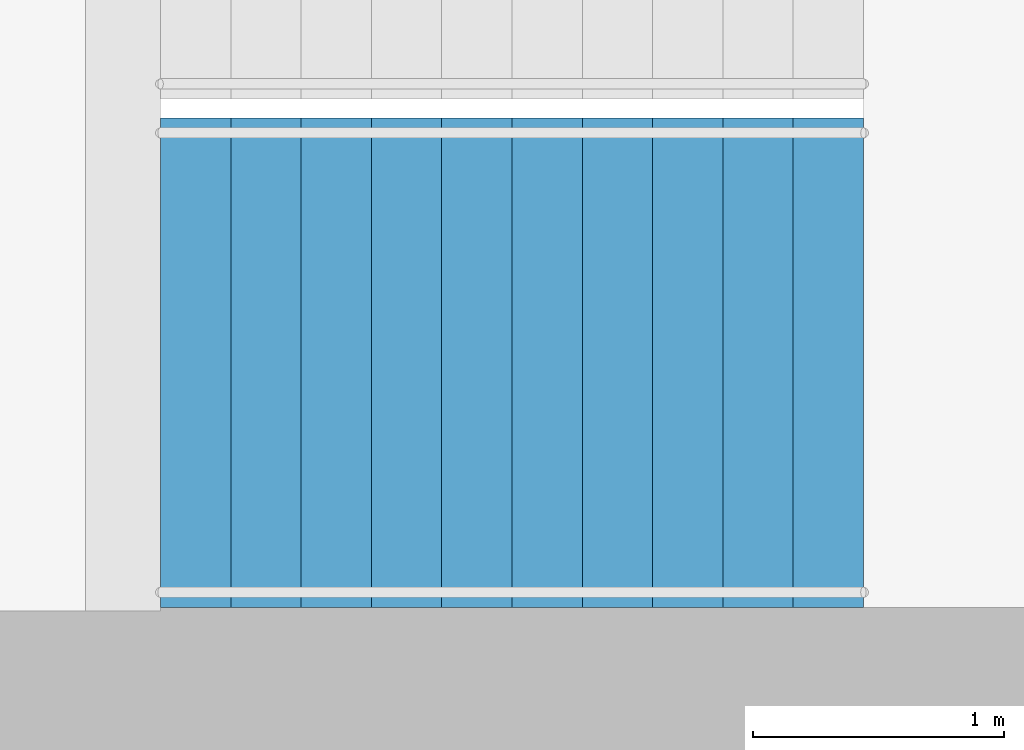
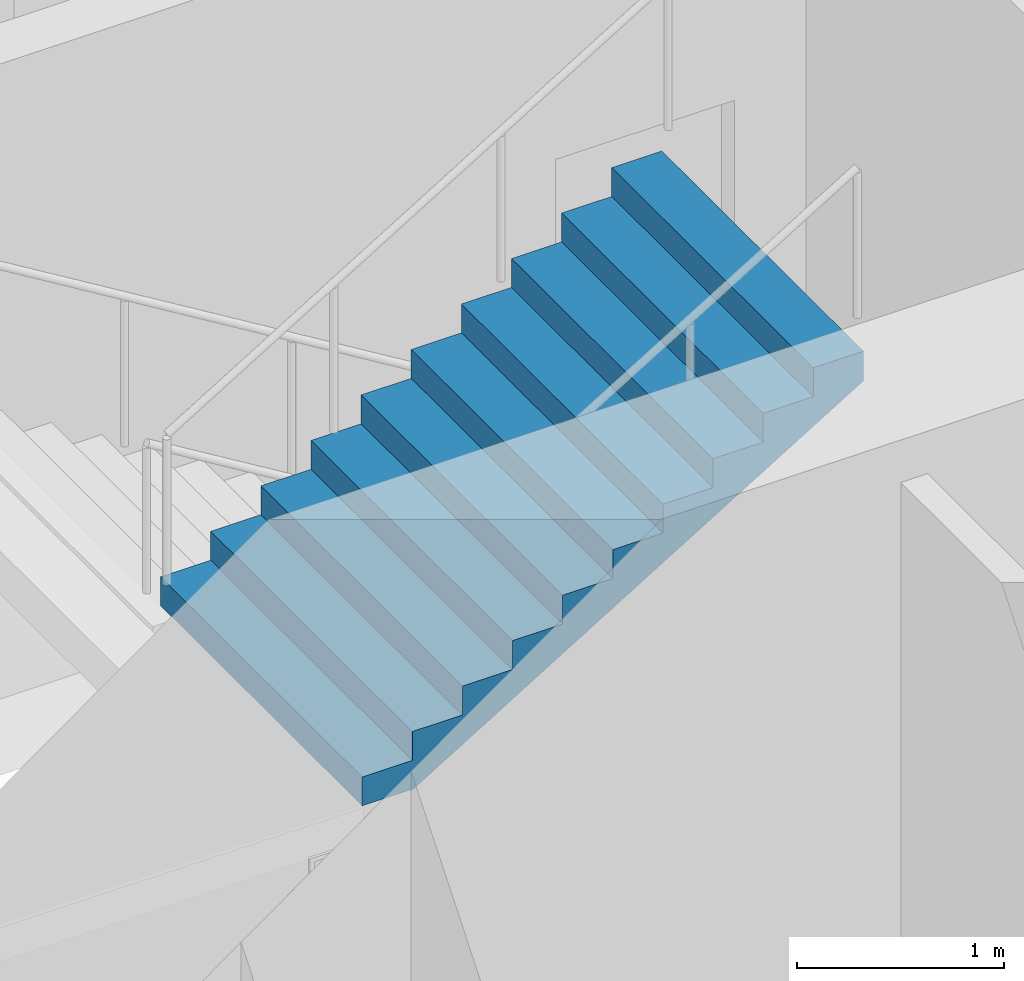
# One storey, part 22 of 26: 1 stair flight, 1 element without a shape of its own.
"""IFC4 building model written with IfcOpenShell, lengths in metres."""

from ifc_helpers import new_model, si_unit, direction, frame, origin, place, context, subcontext, project, spatial, triangles, material, type_object, element, aggregate, save


model = new_model("IFC4")

# Units and contexts
model_context = context("Model", 3, precision=1e-05, world=origin(), true_north=direction((0.0, 1.0)))
body_context = subcontext(model_context, "Body", "Model", "MODEL_VIEW")
ifc_project = project(units=[si_unit("LENGTHUNIT", "METRE"), si_unit("AREAUNIT", "SQUARE_METRE"), si_unit("VOLUMEUNIT", "CUBIC_METRE"), si_unit("PLANEANGLEUNIT", "RADIAN"), si_unit("MASSUNIT", "GRAM", prefix="KILO")], contexts=[model_context])

# Site, building, storey
site_placement = place(None, origin())
site = spatial("IfcSite", under=ifc_project, at=site_placement, CompositionType="ELEMENT")
building_placement = place(site_placement, origin())
building = spatial("IfcBuilding", under=site, at=building_placement, Name="Orbita Commons", CompositionType="ELEMENT")
storey_placement = place(building_placement, frame((0.0, 0.0, 114.39990234375)))
storey = spatial("IfcBuildingStorey", under=building, at=storey_placement, Name="L28", CompositionType="ELEMENT", Elevation=114.39990234375)

# Stair, stair flight
ifc_material_1 = material(Name="Precast concrete C40/50", Category="concrete")
stair_type = type_object("IfcStairType", Name="Exit stair S2 2 flights 11 risers 170", PredefinedType="HALF_TURN_STAIR", material=ifc_material_1)
stair_placement = place(storey_placement, origin())
stair = element("IfcStair", 1, at=stair_placement, inside=storey, type_object=stair_type, Name="Exit stair S2 L28", PredefinedType="HALF_TURN_STAIR")
ifc_material_2 = material(Name="Precast concrete C40/50", Category="concrete")
stair_flight_type = type_object("IfcStairFlightType", Name="Stair flight 11 risers 170 x 280", PredefinedType="STRAIGHT", material=ifc_material_2)
stair_flight_placement = place(storey_placement, frame((60.75, 27.25, 1.875), z_axis=(0.0, 0.0, 1.0), x_axis=(1.0, 0.0, 0.0)))
stair_flight = element("IfcStairFlight", 2, at=stair_flight_placement, type_object=stair_flight_type, Name="S2 flight 2", NumberOfRisers=11, NumberOfTreads=10, PredefinedType="STRAIGHT", RiserHeight=0.170454545, TreadLength=0.28, context=body_context, shape_type="Tessellation", body=[
    triangles([(0.0, 0.974976, 0.0), (0.0, 0.974976, 0.021307), (0.0, 0.81248, 0.021307), (0.0, 0.81248, 0.0), (0.0, 0.649984, 0.021307), (0.0, 0.649984, 0.0), (0.0, 0.487488, 0.021307), (0.0, 0.487488, 0.0), (0.0, 0.324992, 0.021307), (0.0, 0.324992, 0.0), (0.0, 0.162496, 0.021307), (0.0, 0.162496, 0.0), (0.0, 0.0, 0.021307), (0.0, 0.0, 0.0), (0.0, -0.162496, 0.021307), (0.0, -0.162496, 0.0), (0.0, -0.324992, 0.021307), (0.0, -0.324992, 0.0), (0.0, -0.487488, 0.021307), (0.0, -0.487488, 0.0), (0.0, -0.649984, 0.021307), (0.0, -0.649984, 0.0), (0.0, -0.81248, 0.021307), (0.0, -0.81248, 0.0), (0.0, -0.974976, 0.021307), (0.0, -0.974976, 0.0), (0.0, 0.974976, 0.042614), (0.0, 0.81248, 0.042614), (0.0, 0.649984, 0.042614), (0.0, 0.487488, 0.042614), (0.0, 0.324992, 0.042614), (0.0, 0.162496, 0.042614), (0.0, 0.0, 0.042614), (0.0, -0.162496, 0.042614), (0.0, -0.324992, 0.042614), (0.0, -0.487488, 0.042614), (0.0, -0.649984, 0.042614), (0.0, -0.81248, 0.042614), (0.0, -0.974976, 0.042614), (0.0, 0.974976, 0.06392), (0.0, 0.81248, 0.06392), (0.0, 0.649984, 0.06392), (0.0, 0.487488, 0.06392), (0.0, 0.324992, 0.06392), (0.0, 0.162496, 0.06392), (0.0, 0.0, 0.06392), (0.0, -0.162496, 0.06392), (0.0, -0.324992, 0.06392), (0.0, -0.487488, 0.06392), (0.0, -0.649984, 0.06392), (0.0, -0.81248, 0.06392), (0.0, -0.974976, 0.06392), (0.0, 0.974976, 0.085227), (0.0, 0.81248, 0.085227), (0.0, 0.649984, 0.085227), (0.0, 0.487488, 0.085227), (0.0, 0.324992, 0.085227), (0.0, 0.162496, 0.085227), (0.0, 0.0, 0.085227), (0.0, -0.162496, 0.085227), (0.0, -0.324992, 0.085227), (0.0, -0.487488, 0.085227), (0.0, -0.649984, 0.085227), (0.0, -0.81248, 0.085227), (0.0, -0.974976, 0.085227), (0.0, 0.974976, 0.106534), (0.0, 0.81248, 0.106534), (0.0, 0.649984, 0.106534), (0.0, 0.487488, 0.106534), (0.0, 0.324992, 0.106534), (0.0, 0.162496, 0.106534), (0.0, 0.0, 0.106534), (0.0, -0.162496, 0.106534), (0.0, -0.324992, 0.106534), (0.0, -0.487488, 0.106534), (0.0, -0.649984, 0.106534), (0.0, -0.81248, 0.106534), (0.0, -0.974976, 0.106534), (0.0, 0.974976, 0.127841), (0.0, 0.81248, 0.127841), (0.0, 0.649984, 0.127841), (0.0, 0.487488, 0.127841), (0.0, 0.324992, 0.127841), (0.0, 0.162496, 0.127841), (0.0, 0.0, 0.127841), (0.0, -0.162496, 0.127841), (0.0, -0.324992, 0.127841), (0.0, -0.487488, 0.127841), (0.0, -0.649984, 0.127841), (0.0, -0.81248, 0.127841), (0.0, -0.974976, 0.127841), (0.0, 0.974976, 0.149148), (0.0, 0.81248, 0.149148), (0.0, 0.649984, 0.149148), (0.0, 0.487488, 0.149148), (0.0, 0.324992, 0.149148), (0.0, 0.162496, 0.149148), (0.0, 0.0, 0.149148), (0.0, -0.162496, 0.149148), (0.0, -0.324992, 0.149148), (0.0, -0.487488, 0.149148), (0.0, -0.649984, 0.149148), (0.0, -0.81248, 0.149148), (0.0, -0.974976, 0.149148), (0.0, 0.974976, 0.170455), (0.0, 0.81248, 0.170455), (0.0, 0.649984, 0.170455), (0.0, 0.487488, 0.170455), (0.0, 0.324992, 0.170455), (0.0, 0.162496, 0.170455), (0.0, 0.0, 0.170455), (0.0, -0.162496, 0.170455), (0.0, -0.324992, 0.170455), (0.0, -0.487488, 0.170455), (0.0, -0.649984, 0.170455), (0.0, -0.81248, 0.170455), (0.0, -0.974976, 0.170455), (0.28, 0.974976, 0.170455), (0.28, 0.81248, 0.170455), (0.28, 0.649984, 0.170455), (0.28, 0.487488, 0.170455), (0.28, 0.324992, 0.170455), (0.28, 0.162496, 0.170455), (0.28, 0.0, 0.170455), (0.28, -0.162496, 0.170455), (0.28, -0.324992, 0.170455), (0.28, -0.487488, 0.170455), (0.28, -0.649984, 0.170455), (0.28, -0.81248, 0.170455), (0.28, -0.974976, 0.170455), (0.28, 0.974976, 0.340909), (0.28, 0.81248, 0.340909), (0.28, 0.649984, 0.340909), (0.28, 0.487488, 0.340909), (0.28, 0.324992, 0.340909), (0.28, 0.162496, 0.340909), (0.28, 0.0, 0.340909), (0.28, -0.162496, 0.340909), (0.28, -0.324992, 0.340909), (0.28, -0.487488, 0.340909), (0.28, -0.649984, 0.340909), (0.28, -0.81248, 0.340909), (0.28, -0.974976, 0.340909), (0.56, 0.974976, 0.340909), (0.56, 0.81248, 0.340909), (0.56, 0.649984, 0.340909), (0.56, 0.487488, 0.340909), (0.56, 0.324992, 0.340909), (0.56, 0.162496, 0.340909), (0.56, 0.0, 0.340909), (0.56, -0.162496, 0.340909), (0.56, -0.324992, 0.340909), (0.56, -0.487488, 0.340909), (0.56, -0.649984, 0.340909), (0.56, -0.81248, 0.340909), (0.56, -0.974976, 0.340909), (0.56, 0.974976, 0.511364), (0.56, 0.81248, 0.511364), (0.56, 0.649984, 0.511364), (0.56, 0.487488, 0.511364), (0.56, 0.324992, 0.511364), (0.56, 0.162496, 0.511364), (0.56, 0.0, 0.511364), (0.56, -0.162496, 0.511364), (0.56, -0.324992, 0.511364), (0.56, -0.487488, 0.511364), (0.56, -0.649984, 0.511364), (0.56, -0.81248, 0.511364), (0.56, -0.974976, 0.511364), (0.84, 0.974976, 0.511364), (0.84, 0.81248, 0.511364), (0.84, 0.649984, 0.511364), (0.84, 0.487488, 0.511364), (0.84, 0.324992, 0.511364), (0.84, 0.162496, 0.511364), (0.84, 0.0, 0.511364), (0.84, -0.162496, 0.511364), (0.84, -0.324992, 0.511364), (0.84, -0.487488, 0.511364), (0.84, -0.649984, 0.511364), (0.84, -0.81248, 0.511364), (0.84, -0.974976, 0.511364), (0.84, 0.974976, 0.681818), (0.84, 0.81248, 0.681818), (0.84, 0.649984, 0.681818), (0.84, 0.487488, 0.681818), (0.84, 0.324992, 0.681818), (0.84, 0.162496, 0.681818), (0.84, 0.0, 0.681818), (0.84, -0.162496, 0.681818), (0.84, -0.324992, 0.681818), (0.84, -0.487488, 0.681818), (0.84, -0.649984, 0.681818), (0.84, -0.81248, 0.681818), (0.84, -0.974976, 0.681818), (1.12, 0.974976, 0.681818), (1.12, 0.81248, 0.681818), (1.12, 0.649984, 0.681818), (1.12, 0.487488, 0.681818), (1.12, 0.324992, 0.681818), (1.12, 0.162496, 0.681818), (1.12, 0.0, 0.681818), (1.12, -0.162496, 0.681818), (1.12, -0.324992, 0.681818), (1.12, -0.487488, 0.681818), (1.12, -0.649984, 0.681818), (1.12, -0.81248, 0.681818), (1.12, -0.974976, 0.681818), (1.12, 0.974976, 0.852273), (1.12, 0.81248, 0.852273), (1.12, 0.649984, 0.852273), (1.12, 0.487488, 0.852273), (1.12, 0.324992, 0.852273), (1.12, 0.162496, 0.852273), (1.12, 0.0, 0.852273), (1.12, -0.162496, 0.852273), (1.12, -0.324992, 0.852273), (1.12, -0.487488, 0.852273), (1.12, -0.649984, 0.852273), (1.12, -0.81248, 0.852273), (1.12, -0.974976, 0.852273), (1.4, 0.974976, 0.852273), (1.4, 0.81248, 0.852273), (1.4, 0.649984, 0.852273), (1.4, 0.487488, 0.852273), (1.4, 0.324992, 0.852273), (1.4, 0.162496, 0.852273), (1.4, 0.0, 0.852273), (1.4, -0.162496, 0.852273), (1.4, -0.324992, 0.852273), (1.4, -0.487488, 0.852273), (1.4, -0.649984, 0.852273), (1.4, -0.81248, 0.852273), (1.4, -0.974976, 0.852273), (1.4, 0.974976, 1.022727), (1.4, 0.81248, 1.022727), (1.4, 0.649984, 1.022727), (1.4, 0.487488, 1.022727), (1.4, 0.324992, 1.022727), (1.4, 0.162496, 1.022727), (1.4, 0.0, 1.022727), (1.4, -0.162496, 1.022727), (1.4, -0.324992, 1.022727), (1.4, -0.487488, 1.022727), (1.4, -0.649984, 1.022727), (1.4, -0.81248, 1.022727), (1.4, -0.974976, 1.022727), (1.68, 0.974976, 1.022727), (1.68, 0.81248, 1.022727), (1.68, 0.649984, 1.022727), (1.68, 0.487488, 1.022727), (1.68, 0.324992, 1.022727), (1.68, 0.162496, 1.022727), (1.68, 0.0, 1.022727), (1.68, -0.162496, 1.022727), (1.68, -0.324992, 1.022727), (1.68, -0.487488, 1.022727), (1.68, -0.649984, 1.022727), (1.68, -0.81248, 1.022727), (1.68, -0.974976, 1.022727), (1.68, 0.974976, 1.193182), (1.68, 0.81248, 1.193182), (1.68, 0.649984, 1.193182), (1.68, 0.487488, 1.193182), (1.68, 0.324992, 1.193182), (1.68, 0.162496, 1.193182), (1.68, 0.0, 1.193182), (1.68, -0.162496, 1.193182), (1.68, -0.324992, 1.193182), (1.68, -0.487488, 1.193182), (1.68, -0.649984, 1.193182), (1.68, -0.81248, 1.193182), (1.68, -0.974976, 1.193182), (1.96, 0.974976, 1.193182), (1.96, 0.81248, 1.193182), (1.96, 0.649984, 1.193182), (1.96, 0.487488, 1.193182), (1.96, 0.324992, 1.193182), (1.96, 0.162496, 1.193182), (1.96, 0.0, 1.193182), (1.96, -0.162496, 1.193182), (1.96, -0.324992, 1.193182), (1.96, -0.487488, 1.193182), (1.96, -0.649984, 1.193182), (1.96, -0.81248, 1.193182), (1.96, -0.974976, 1.193182), (1.96, 0.974976, 1.363636), (1.96, 0.81248, 1.363636), (1.96, 0.649984, 1.363636), (1.96, 0.487488, 1.363636), (1.96, 0.324992, 1.363636), (1.96, 0.162496, 1.363636), (1.96, 0.0, 1.363636), (1.96, -0.162496, 1.363636), (1.96, -0.324992, 1.363636), (1.96, -0.487488, 1.363636), (1.96, -0.649984, 1.363636), (1.96, -0.81248, 1.363636), (1.96, -0.974976, 1.363636), (2.24, 0.974976, 1.363636), (2.24, 0.81248, 1.363636), (2.24, 0.649984, 1.363636), (2.24, 0.487488, 1.363636), (2.24, 0.324992, 1.363636), (2.24, 0.162496, 1.363636), (2.24, 0.0, 1.363636), (2.24, -0.162496, 1.363636), (2.24, -0.324992, 1.363636), (2.24, -0.487488, 1.363636), (2.24, -0.649984, 1.363636), (2.24, -0.81248, 1.363636), (2.24, -0.974976, 1.363636), (2.24, 0.974976, 1.534091), (2.24, 0.81248, 1.534091), (2.24, 0.649984, 1.534091), (2.24, 0.487488, 1.534091), (2.24, 0.324992, 1.534091), (2.24, 0.162496, 1.534091), (2.24, 0.0, 1.534091), (2.24, -0.162496, 1.534091), (2.24, -0.324992, 1.534091), (2.24, -0.487488, 1.534091), (2.24, -0.649984, 1.534091), (2.24, -0.81248, 1.534091), (2.24, -0.974976, 1.534091), (2.52, 0.974976, 1.534091), (2.52, 0.81248, 1.534091), (2.52, 0.649984, 1.534091), (2.52, 0.487488, 1.534091), (2.52, 0.324992, 1.534091), (2.52, 0.162496, 1.534091), (2.52, 0.0, 1.534091), (2.52, -0.162496, 1.534091), (2.52, -0.324992, 1.534091), (2.52, -0.487488, 1.534091), (2.52, -0.649984, 1.534091), (2.52, -0.81248, 1.534091), (2.52, -0.974976, 1.534091), (2.52, 0.974976, 1.704545), (2.52, 0.81248, 1.704545), (2.52, 0.649984, 1.704545), (2.52, 0.487488, 1.704545), (2.52, 0.324992, 1.704545), (2.52, 0.162496, 1.704545), (2.52, 0.0, 1.704545), (2.52, -0.162496, 1.704545), (2.52, -0.324992, 1.704545), (2.52, -0.487488, 1.704545), (2.52, -0.649984, 1.704545), (2.52, -0.81248, 1.704545), (2.52, -0.974976, 1.704545), (2.8, 0.974976, 1.704545), (2.8, 0.81248, 1.704545), (2.8, 0.649984, 1.704545), (2.8, 0.487488, 1.704545), (2.8, 0.324992, 1.704545), (2.8, 0.162496, 1.704545), (2.8, 0.0, 1.704545), (2.8, -0.162496, 1.704545), (2.8, -0.324992, 1.704545), (2.8, -0.487488, 1.704545), (2.8, -0.649984, 1.704545), (2.8, -0.81248, 1.704545), (2.8, -0.974976, 1.704545), (2.8, 0.974976, 1.682609), (2.8, 0.81248, 1.682609), (2.8, 0.649984, 1.682609), (2.8, 0.487488, 1.682609), (2.8, 0.324992, 1.682609), (2.8, 0.162496, 1.682609), (2.8, 0.0, 1.682609), (2.8, -0.162496, 1.682609), (2.8, -0.324992, 1.682609), (2.8, -0.487488, 1.682609), (2.8, -0.649984, 1.682609), (2.8, -0.81248, 1.682609), (2.8, -0.974976, 1.682609), (2.8, 0.974976, 1.660672), (2.8, 0.81248, 1.660672), (2.8, 0.649984, 1.660672), (2.8, 0.487488, 1.660672), (2.8, 0.324992, 1.660672), (2.8, 0.162496, 1.660672), (2.8, 0.0, 1.660672), (2.8, -0.162496, 1.660672), (2.8, -0.324992, 1.660672), (2.8, -0.487488, 1.660672), (2.8, -0.649984, 1.660672), (2.8, -0.81248, 1.660672), (2.8, -0.974976, 1.660672), (2.8, 0.974976, 1.638735), (2.8, 0.81248, 1.638735), (2.8, 0.649984, 1.638735), (2.8, 0.487488, 1.638735), (2.8, 0.324992, 1.638735), (2.8, 0.162496, 1.638735), (2.8, 0.0, 1.638735), (2.8, -0.162496, 1.638735), (2.8, -0.324992, 1.638735), (2.8, -0.487488, 1.638735), (2.8, -0.649984, 1.638735), (2.8, -0.81248, 1.638735), (2.8, -0.974976, 1.638735), (2.8, 0.974976, 1.616798), (2.8, 0.81248, 1.616798), (2.8, 0.649984, 1.616798), (2.8, 0.487488, 1.616798), (2.8, 0.324992, 1.616798), (2.8, 0.162496, 1.616798), (2.8, 0.0, 1.616798), (2.8, -0.162496, 1.616798), (2.8, -0.324992, 1.616798), (2.8, -0.487488, 1.616798), (2.8, -0.649984, 1.616798), (2.8, -0.81248, 1.616798), (2.8, -0.974976, 1.616798), (2.8, 0.974976, 1.594861), (2.8, 0.81248, 1.594861), (2.8, 0.649984, 1.594861), (2.8, 0.487488, 1.594861), (2.8, 0.324992, 1.594861), (2.8, 0.162496, 1.594861), (2.8, 0.0, 1.594861), (2.8, -0.162496, 1.594861), (2.8, -0.324992, 1.594861), (2.8, -0.487488, 1.594861), (2.8, -0.649984, 1.594861), (2.8, -0.81248, 1.594861), (2.8, -0.974976, 1.594861), (2.8, 0.974976, 1.572925), (2.8, 0.81248, 1.572925), (2.8, 0.649984, 1.572925), (2.8, 0.487488, 1.572925), (2.8, 0.324992, 1.572925), (2.8, 0.162496, 1.572925), (2.8, 0.0, 1.572925), (2.8, -0.162496, 1.572925), (2.8, -0.324992, 1.572925), (2.8, -0.487488, 1.572925), (2.8, -0.649984, 1.572925), (2.8, -0.81248, 1.572925), (2.8, -0.974976, 1.572925), (2.8, 0.974976, 1.550988), (2.8, 0.81248, 1.550988), (2.8, 0.649984, 1.550988), (2.8, 0.487488, 1.550988), (2.8, 0.324992, 1.550988), (2.8, 0.162496, 1.550988), (2.8, 0.0, 1.550988), (2.8, -0.162496, 1.550988), (2.8, -0.324992, 1.550988), (2.8, -0.487488, 1.550988), (2.8, -0.649984, 1.550988), (2.8, -0.81248, 1.550988), (2.8, -0.974976, 1.550988), (2.8, 0.974976, 1.529051), (2.8, 0.81248, 1.529051), (2.8, 0.649984, 1.529051), (2.8, 0.487488, 1.529051), (2.8, 0.324992, 1.529051), (2.8, 0.162496, 1.529051), (2.8, 0.0, 1.529051), (2.8, -0.162496, 1.529051), (2.8, -0.324992, 1.529051), (2.8, -0.487488, 1.529051), (2.8, -0.649984, 1.529051), (2.8, -0.81248, 1.529051), (2.8, -0.974976, 1.529051), (0.288279, 0.974976, 0.0), (0.288279, 0.81248, 0.0), (0.288279, 0.649984, 0.0), (0.288279, 0.487488, 0.0), (0.288279, 0.324992, 0.0), (0.288279, 0.162496, 0.0), (0.288279, 0.0, 0.0), (0.288279, -0.162496, 0.0), (0.288279, -0.324992, 0.0), (0.288279, -0.487488, 0.0), (0.288279, -0.649984, 0.0), (0.288279, -0.81248, 0.0), (0.288279, -0.974976, 0.0)], [[3, 2, 1], [4, 3, 1], [5, 3, 4], [6, 5, 4], [7, 5, 6], [8, 7, 6], [9, 7, 8], [10, 9, 8], [11, 9, 10], [12, 11, 10], [13, 11, 12], [14, 13, 12], [15, 13, 14], [16, 15, 14], [17, 15, 16], [18, 17, 16], [19, 17, 18], [20, 19, 18], [21, 19, 20], [22, 21, 20], [23, 21, 22], [24, 23, 22], [25, 23, 24], [26, 25, 24], [28, 27, 2], [3, 28, 2], [29, 28, 3], [5, 29, 3], [30, 29, 5], [7, 30, 5], [31, 30, 7], [9, 31, 7], [32, 31, 9], [11, 32, 9], [33, 32, 11], [13, 33, 11], [34, 33, 13], [15, 34, 13], [35, 34, 15], [17, 35, 15], [36, 35, 17], [19, 36, 17], [37, 36, 19], [21, 37, 19], [38, 37, 21], [23, 38, 21], [39, 38, 23], [25, 39, 23], [41, 40, 27], [28, 41, 27], [42, 41, 28], [29, 42, 28], [43, 42, 29], [30, 43, 29], [44, 43, 30], [31, 44, 30], [45, 44, 31], [32, 45, 31], [46, 45, 32], [33, 46, 32], [47, 46, 33], [34, 47, 33], [48, 47, 34], [35, 48, 34], [49, 48, 35], [36, 49, 35], [50, 49, 36], [37, 50, 36], [51, 50, 37], [38, 51, 37], [52, 51, 38], [39, 52, 38], [54, 53, 40], [41, 54, 40], [55, 54, 41], [42, 55, 41], [56, 55, 42], [43, 56, 42], [57, 56, 43], [44, 57, 43], [58, 57, 44], [45, 58, 44], [59, 58, 45], [46, 59, 45], [60, 59, 46], [47, 60, 46], [61, 60, 47], [48, 61, 47], [62, 61, 48], [49, 62, 48], [63, 62, 49], [50, 63, 49], [64, 63, 50], [51, 64, 50], [65, 64, 51], [52, 65, 51], [67, 66, 53], [54, 67, 53], [68, 67, 54], [55, 68, 54], [69, 68, 55], [56, 69, 55], [70, 69, 56], [57, 70, 56], [71, 70, 57], [58, 71, 57], [72, 71, 58], [59, 72, 58], [73, 72, 59], [60, 73, 59], [74, 73, 60], [61, 74, 60], [75, 74, 61], [62, 75, 61], [76, 75, 62], [63, 76, 62], [77, 76, 63], [64, 77, 63], [78, 77, 64], [65, 78, 64], [80, 79, 66], [67, 80, 66], [81, 80, 67], [68, 81, 67], [82, 81, 68], [69, 82, 68], [83, 82, 69], [70, 83, 69], [84, 83, 70], [71, 84, 70], [85, 84, 71], [72, 85, 71], [86, 85, 72], [73, 86, 72], [87, 86, 73], [74, 87, 73], [88, 87, 74], [75, 88, 74], [89, 88, 75], [76, 89, 75], [90, 89, 76], [77, 90, 76], [91, 90, 77], [78, 91, 77], [93, 92, 79], [80, 93, 79], [94, 93, 80], [81, 94, 80], [95, 94, 81], [82, 95, 81], [96, 95, 82], [83, 96, 82], [97, 96, 83], [84, 97, 83], [98, 97, 84], [85, 98, 84], [99, 98, 85], [86, 99, 85], [100, 99, 86], [87, 100, 86], [101, 100, 87], [88, 101, 87], [102, 101, 88], [89, 102, 88], [103, 102, 89], [90, 103, 89], [104, 103, 90], [91, 104, 90], [106, 105, 92], [93, 106, 92], [107, 106, 93], [94, 107, 93], [108, 107, 94], [95, 108, 94], [109, 108, 95], [96, 109, 95], [110, 109, 96], [97, 110, 96], [111, 110, 97], [98, 111, 97], [112, 111, 98], [99, 112, 98], [113, 112, 99], [100, 113, 99], [114, 113, 100], [101, 114, 100], [115, 114, 101], [102, 115, 101], [116, 115, 102], [103, 116, 102], [117, 116, 103], [104, 117, 103], [119, 118, 105], [106, 119, 105], [120, 119, 106], [107, 120, 106], [121, 120, 107], [108, 121, 107], [122, 121, 108], [109, 122, 108], [123, 122, 109], [110, 123, 109], [124, 123, 110], [111, 124, 110], [125, 124, 111], [112, 125, 111], [126, 125, 112], [113, 126, 112], [127, 126, 113], [114, 127, 113], [128, 127, 114], [115, 128, 114], [129, 128, 115], [116, 129, 115], [130, 129, 116], [117, 130, 116], [132, 131, 118], [119, 132, 118], [133, 132, 119], [120, 133, 119], [134, 133, 120], [121, 134, 120], [135, 134, 121], [122, 135, 121], [136, 135, 122], [123, 136, 122], [137, 136, 123], [124, 137, 123], [138, 137, 124], [125, 138, 124], [139, 138, 125], [126, 139, 125], [140, 139, 126], [127, 140, 126], [141, 140, 127], [128, 141, 127], [142, 141, 128], [129, 142, 128], [143, 142, 129], [130, 143, 129], [145, 144, 131], [132, 145, 131], [146, 145, 132], [133, 146, 132], [147, 146, 133], [134, 147, 133], [148, 147, 134], [135, 148, 134], [149, 148, 135], [136, 149, 135], [150, 149, 136], [137, 150, 136], [151, 150, 137], [138, 151, 137], [152, 151, 138], [139, 152, 138], [153, 152, 139], [140, 153, 139], [154, 153, 140], [141, 154, 140], [155, 154, 141], [142, 155, 141], [156, 155, 142], [143, 156, 142], [158, 157, 144], [145, 158, 144], [159, 158, 145], [146, 159, 145], [160, 159, 146], [147, 160, 146], [161, 160, 147], [148, 161, 147], [162, 161, 148], [149, 162, 148], [163, 162, 149], [150, 163, 149], [164, 163, 150], [151, 164, 150], [165, 164, 151], [152, 165, 151], [166, 165, 152], [153, 166, 152], [167, 166, 153], [154, 167, 153], [168, 167, 154], [155, 168, 154], [169, 168, 155], [156, 169, 155], [171, 170, 157], [158, 171, 157], [172, 171, 158], [159, 172, 158], [173, 172, 159], [160, 173, 159], [174, 173, 160], [161, 174, 160], [175, 174, 161], [162, 175, 161], [176, 175, 162], [163, 176, 162], [177, 176, 163], [164, 177, 163], [178, 177, 164], [165, 178, 164], [179, 178, 165], [166, 179, 165], [180, 179, 166], [167, 180, 166], [181, 180, 167], [168, 181, 167], [182, 181, 168], [169, 182, 168], [184, 183, 170], [171, 184, 170], [185, 184, 171], [172, 185, 171], [186, 185, 172], [173, 186, 172], [187, 186, 173], [174, 187, 173], [188, 187, 174], [175, 188, 174], [189, 188, 175], [176, 189, 175], [190, 189, 176], [177, 190, 176], [191, 190, 177], [178, 191, 177], [192, 191, 178], [179, 192, 178], [193, 192, 179], [180, 193, 179], [194, 193, 180], [181, 194, 180], [195, 194, 181], [182, 195, 181], [197, 196, 183], [184, 197, 183], [198, 197, 184], [185, 198, 184], [199, 198, 185], [186, 199, 185], [200, 199, 186], [187, 200, 186], [201, 200, 187], [188, 201, 187], [202, 201, 188], [189, 202, 188], [203, 202, 189], [190, 203, 189], [204, 203, 190], [191, 204, 190], [205, 204, 191], [192, 205, 191], [206, 205, 192], [193, 206, 192], [207, 206, 193], [194, 207, 193], [208, 207, 194], [195, 208, 194], [210, 209, 196], [197, 210, 196], [211, 210, 197], [198, 211, 197], [212, 211, 198], [199, 212, 198], [213, 212, 199], [200, 213, 199], [214, 213, 200], [201, 214, 200], [215, 214, 201], [202, 215, 201], [216, 215, 202], [203, 216, 202], [217, 216, 203], [204, 217, 203], [218, 217, 204], [205, 218, 204], [219, 218, 205], [206, 219, 205], [220, 219, 206], [207, 220, 206], [221, 220, 207], [208, 221, 207], [223, 222, 209], [210, 223, 209], [224, 223, 210], [211, 224, 210], [225, 224, 211], [212, 225, 211], [226, 225, 212], [213, 226, 212], [227, 226, 213], [214, 227, 213], [228, 227, 214], [215, 228, 214], [229, 228, 215], [216, 229, 215], [230, 229, 216], [217, 230, 216], [231, 230, 217], [218, 231, 217], [232, 231, 218], [219, 232, 218], [233, 232, 219], [220, 233, 219], [234, 233, 220], [221, 234, 220], [236, 235, 222], [223, 236, 222], [237, 236, 223], [224, 237, 223], [238, 237, 224], [225, 238, 224], [239, 238, 225], [226, 239, 225], [240, 239, 226], [227, 240, 226], [241, 240, 227], [228, 241, 227], [242, 241, 228], [229, 242, 228], [243, 242, 229], [230, 243, 229], [244, 243, 230], [231, 244, 230], [245, 244, 231], [232, 245, 231], [246, 245, 232], [233, 246, 232], [247, 246, 233], [234, 247, 233], [249, 248, 235], [236, 249, 235], [250, 249, 236], [237, 250, 236], [251, 250, 237], [238, 251, 237], [252, 251, 238], [239, 252, 238], [253, 252, 239], [240, 253, 239], [254, 253, 240], [241, 254, 240], [255, 254, 241], [242, 255, 241], [256, 255, 242], [243, 256, 242], [257, 256, 243], [244, 257, 243], [258, 257, 244], [245, 258, 244], [259, 258, 245], [246, 259, 245], [260, 259, 246], [247, 260, 246], [262, 261, 248], [249, 262, 248], [263, 262, 249], [250, 263, 249], [264, 263, 250], [251, 264, 250], [265, 264, 251], [252, 265, 251], [266, 265, 252], [253, 266, 252], [267, 266, 253], [254, 267, 253], [268, 267, 254], [255, 268, 254], [269, 268, 255], [256, 269, 255], [270, 269, 256], [257, 270, 256], [271, 270, 257], [258, 271, 257], [272, 271, 258], [259, 272, 258], [273, 272, 259], [260, 273, 259], [275, 274, 261], [262, 275, 261], [276, 275, 262], [263, 276, 262], [277, 276, 263], [264, 277, 263], [278, 277, 264], [265, 278, 264], [279, 278, 265], [266, 279, 265], [280, 279, 266], [267, 280, 266], [281, 280, 267], [268, 281, 267], [282, 281, 268], [269, 282, 268], [283, 282, 269], [270, 283, 269], [284, 283, 270], [271, 284, 270], [285, 284, 271], [272, 285, 271], [286, 285, 272], [273, 286, 272], [288, 287, 274], [275, 288, 274], [289, 288, 275], [276, 289, 275], [290, 289, 276], [277, 290, 276], [291, 290, 277], [278, 291, 277], [292, 291, 278], [279, 292, 278], [293, 292, 279], [280, 293, 279], [294, 293, 280], [281, 294, 280], [295, 294, 281], [282, 295, 281], [296, 295, 282], [283, 296, 282], [297, 296, 283], [284, 297, 283], [298, 297, 284], [285, 298, 284], [299, 298, 285], [286, 299, 285], [301, 300, 287], [288, 301, 287], [302, 301, 288], [289, 302, 288], [303, 302, 289], [290, 303, 289], [304, 303, 290], [291, 304, 290], [305, 304, 291], [292, 305, 291], [306, 305, 292], [293, 306, 292], [307, 306, 293], [294, 307, 293], [308, 307, 294], [295, 308, 294], [309, 308, 295], [296, 309, 295], [310, 309, 296], [297, 310, 296], [311, 310, 297], [298, 311, 297], [312, 311, 298], [299, 312, 298], [314, 313, 300], [301, 314, 300], [315, 314, 301], [302, 315, 301], [316, 315, 302], [303, 316, 302], [317, 316, 303], [304, 317, 303], [318, 317, 304], [305, 318, 304], [319, 318, 305], [306, 319, 305], [320, 319, 306], [307, 320, 306], [321, 320, 307], [308, 321, 307], [322, 321, 308], [309, 322, 308], [323, 322, 309], [310, 323, 309], [324, 323, 310], [311, 324, 310], [325, 324, 311], [312, 325, 311], [327, 326, 313], [314, 327, 313], [328, 327, 314], [315, 328, 314], [329, 328, 315], [316, 329, 315], [330, 329, 316], [317, 330, 316], [331, 330, 317], [318, 331, 317], [332, 331, 318], [319, 332, 318], [333, 332, 319], [320, 333, 319], [334, 333, 320], [321, 334, 320], [335, 334, 321], [322, 335, 321], [336, 335, 322], [323, 336, 322], [337, 336, 323], [324, 337, 323], [338, 337, 324], [325, 338, 324], [340, 339, 326], [327, 340, 326], [341, 340, 327], [328, 341, 327], [342, 341, 328], [329, 342, 328], [343, 342, 329], [330, 343, 329], [344, 343, 330], [331, 344, 330], [345, 344, 331], [332, 345, 331], [346, 345, 332], [333, 346, 332], [347, 346, 333], [334, 347, 333], [348, 347, 334], [335, 348, 334], [349, 348, 335], [336, 349, 335], [350, 349, 336], [337, 350, 336], [351, 350, 337], [338, 351, 337], [353, 352, 339], [340, 353, 339], [354, 353, 340], [341, 354, 340], [355, 354, 341], [342, 355, 341], [356, 355, 342], [343, 356, 342], [357, 356, 343], [344, 357, 343], [358, 357, 344], [345, 358, 344], [359, 358, 345], [346, 359, 345], [360, 359, 346], [347, 360, 346], [361, 360, 347], [348, 361, 347], [362, 361, 348], [349, 362, 348], [363, 362, 349], [350, 363, 349], [364, 363, 350], [351, 364, 350], [366, 365, 352], [353, 366, 352], [367, 366, 353], [354, 367, 353], [368, 367, 354], [355, 368, 354], [369, 368, 355], [356, 369, 355], [370, 369, 356], [357, 370, 356], [371, 370, 357], [358, 371, 357], [372, 371, 358], [359, 372, 358], [373, 372, 359], [360, 373, 359], [374, 373, 360], [361, 374, 360], [375, 374, 361], [362, 375, 361], [376, 375, 362], [363, 376, 362], [377, 376, 363], [364, 377, 363], [379, 378, 365], [366, 379, 365], [380, 379, 366], [367, 380, 366], [381, 380, 367], [368, 381, 367], [382, 381, 368], [369, 382, 368], [383, 382, 369], [370, 383, 369], [384, 383, 370], [371, 384, 370], [385, 384, 371], [372, 385, 371], [386, 385, 372], [373, 386, 372], [387, 386, 373], [374, 387, 373], [388, 387, 374], [375, 388, 374], [389, 388, 375], [376, 389, 375], [390, 389, 376], [377, 390, 376], [392, 391, 378], [379, 392, 378], [393, 392, 379], [380, 393, 379], [394, 393, 380], [381, 394, 380], [395, 394, 381], [382, 395, 381], [396, 395, 382], [383, 396, 382], [397, 396, 383], [384, 397, 383], [398, 397, 384], [385, 398, 384], [399, 398, 385], [386, 399, 385], [400, 399, 386], [387, 400, 386], [401, 400, 387], [388, 401, 387], [402, 401, 388], [389, 402, 388], [403, 402, 389], [390, 403, 389], [405, 404, 391], [392, 405, 391], [406, 405, 392], [393, 406, 392], [407, 406, 393], [394, 407, 393], [408, 407, 394], [395, 408, 394], [409, 408, 395], [396, 409, 395], [410, 409, 396], [397, 410, 396], [411, 410, 397], [398, 411, 397], [412, 411, 398], [399, 412, 398], [413, 412, 399], [400, 413, 399], [414, 413, 400], [401, 414, 400], [415, 414, 401], [402, 415, 401], [416, 415, 402], [403, 416, 402], [418, 417, 404], [405, 418, 404], [419, 418, 405], [406, 419, 405], [420, 419, 406], [407, 420, 406], [421, 420, 407], [408, 421, 407], [422, 421, 408], [409, 422, 408], [423, 422, 409], [410, 423, 409], [424, 423, 410], [411, 424, 410], [425, 424, 411], [412, 425, 411], [426, 425, 412], [413, 426, 412], [427, 426, 413], [414, 427, 413], [428, 427, 414], [415, 428, 414], [429, 428, 415], [416, 429, 415], [431, 430, 417], [418, 431, 417], [432, 431, 418], [419, 432, 418], [433, 432, 419], [420, 433, 419], [434, 433, 420], [421, 434, 420], [435, 434, 421], [422, 435, 421], [436, 435, 422], [423, 436, 422], [437, 436, 423], [424, 437, 423], [438, 437, 424], [425, 438, 424], [439, 438, 425], [426, 439, 425], [440, 439, 426], [427, 440, 426], [441, 440, 427], [428, 441, 427], [442, 441, 428], [429, 442, 428], [444, 443, 430], [431, 444, 430], [445, 444, 431], [432, 445, 431], [446, 445, 432], [433, 446, 432], [447, 446, 433], [434, 447, 433], [448, 447, 434], [435, 448, 434], [449, 448, 435], [436, 449, 435], [450, 449, 436], [437, 450, 436], [451, 450, 437], [438, 451, 437], [452, 451, 438], [439, 452, 438], [453, 452, 439], [440, 453, 439], [454, 453, 440], [441, 454, 440], [455, 454, 441], [442, 455, 441], [457, 456, 443], [444, 457, 443], [458, 457, 444], [445, 458, 444], [459, 458, 445], [446, 459, 445], [460, 459, 446], [447, 460, 446], [461, 460, 447], [448, 461, 447], [462, 461, 448], [449, 462, 448], [463, 462, 449], [450, 463, 449], [464, 463, 450], [451, 464, 450], [465, 464, 451], [452, 465, 451], [466, 465, 452], [453, 466, 452], [467, 466, 453], [454, 467, 453], [468, 467, 454], [455, 468, 454], [470, 469, 456], [457, 470, 456], [471, 470, 457], [458, 471, 457], [472, 471, 458], [459, 472, 458], [473, 472, 459], [460, 473, 459], [474, 473, 460], [461, 474, 460], [475, 474, 461], [462, 475, 461], [476, 475, 462], [463, 476, 462], [477, 476, 463], [464, 477, 463], [478, 477, 464], [465, 478, 464], [479, 478, 465], [466, 479, 465], [480, 479, 466], [467, 480, 466], [481, 480, 467], [468, 481, 467], [4, 1, 469], [470, 4, 469], [6, 4, 470], [471, 6, 470], [8, 6, 471], [472, 8, 471], [10, 8, 472], [473, 10, 472], [12, 10, 473], [474, 12, 473], [14, 12, 474], [475, 14, 474], [16, 14, 475], [476, 16, 475], [18, 16, 476], [477, 18, 476], [20, 18, 477], [478, 20, 477], [22, 20, 478], [479, 22, 478], [24, 22, 479], [480, 24, 479], [26, 24, 480], [481, 26, 480], [456, 469, 1], [26, 481, 468], [443, 456, 1], [26, 468, 455], [430, 443, 1], [26, 455, 442], [417, 430, 1], [26, 442, 429], [404, 417, 1], [26, 429, 416], [391, 404, 1], [26, 416, 403], [378, 391, 1], [26, 403, 390], [365, 378, 1], [26, 390, 377], [339, 352, 365], [377, 364, 351], [326, 339, 365], [377, 351, 338], [300, 313, 326], [338, 325, 312], [300, 326, 365], [377, 338, 312], [274, 287, 300], [312, 299, 286], [274, 300, 365], [377, 312, 286], [248, 261, 274], [286, 273, 260], [248, 274, 365], [377, 286, 260], [222, 235, 248], [260, 247, 234], [222, 248, 365], [377, 260, 234], [196, 209, 222], [234, 221, 208], [196, 222, 365], [377, 234, 208], [170, 183, 196], [208, 195, 182], [170, 196, 365], [377, 208, 182], [144, 157, 170], [182, 169, 156], [144, 170, 365], [377, 182, 156], [118, 131, 144], [156, 143, 130], [118, 144, 365], [377, 156, 130], [118, 365, 1], [26, 377, 130], [92, 105, 118], [130, 117, 104], [79, 92, 118], [130, 104, 91], [66, 79, 118], [130, 91, 78], [53, 66, 118], [130, 78, 65], [40, 53, 118], [130, 65, 52], [27, 40, 118], [130, 52, 39], [2, 27, 118], [130, 39, 25], [1, 2, 118], [130, 25, 26]], closed=True),
])
aggregate(stair, [stair_flight])

save(model, "model.ifc")
